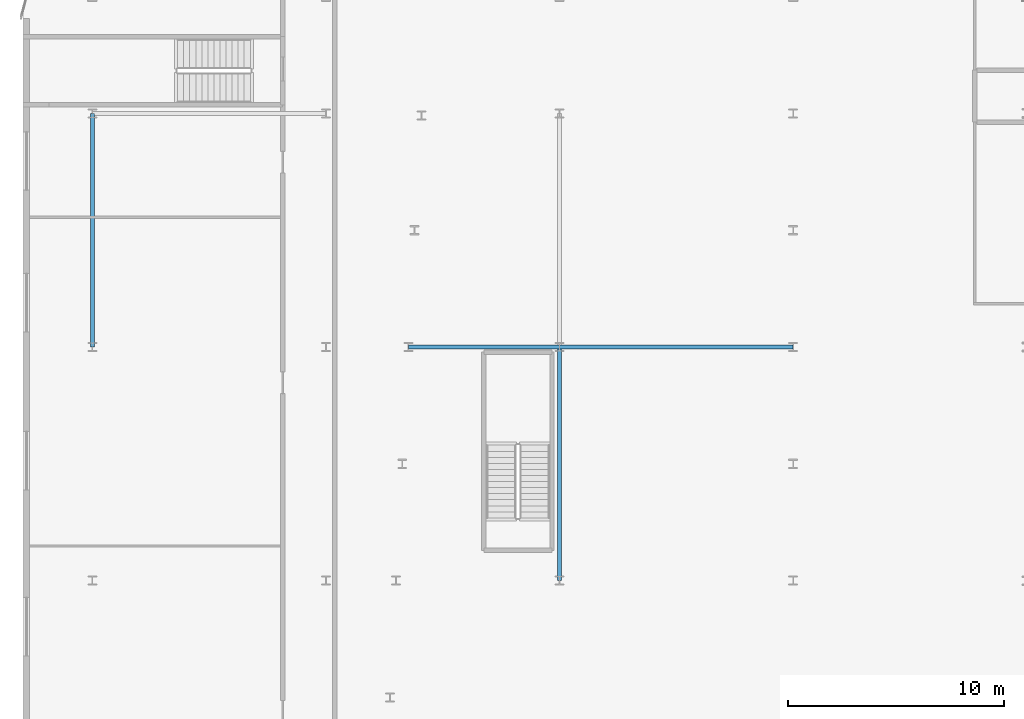
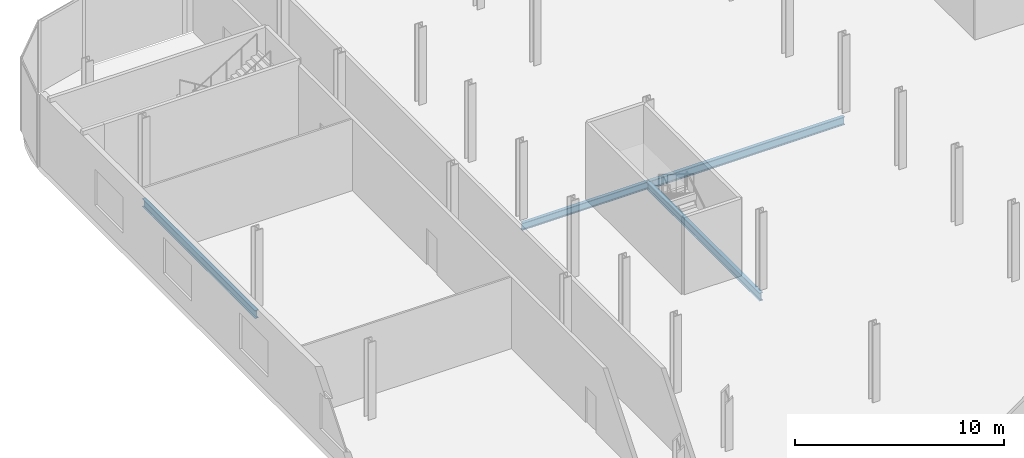
# One storey, part 15 of 47: 4 beams.
"""IFC4 building model written with IfcOpenShell, lengths in metres."""

from ifc_helpers import new_model, si_unit, direction, frame, origin, origin_2d, place, context, subcontext, project, spatial, i_section, extrude, material, material_profile, profile_set, type_object, element, save


model = new_model("IFC4")

# Units and contexts
model_context = context("Model", 3, precision=1e-05, world=origin(), true_north=direction((0.0, 1.0)))
body_context = subcontext(model_context, "Body", "Model", "MODEL_VIEW")
ifc_project = project(units=[si_unit("LENGTHUNIT", "METRE"), si_unit("AREAUNIT", "SQUARE_METRE"), si_unit("VOLUMEUNIT", "CUBIC_METRE"), si_unit("PLANEANGLEUNIT", "RADIAN"), si_unit("MASSUNIT", "GRAM", prefix="KILO")], contexts=[model_context])

# Site, building, storey
site_placement = place(None, origin())
site = spatial("IfcSite", under=ifc_project, at=site_placement, CompositionType="ELEMENT")
building_placement = place(site_placement, origin())
building = spatial("IfcBuilding", under=site, at=building_placement, Name="Kheshtan School and Residences Tower", CompositionType="ELEMENT")
storey_placement = place(building_placement, frame((0.0, 0.0, 17.0)))
storey = spatial("IfcBuildingStorey", under=building, at=storey_placement, Name="L03", CompositionType="ELEMENT", Elevation=17.0)

# Beams
ifc_material = material(Name="Steel ASTM A992 Grade 50", Category="steel")
ifc_material_profile_1 = material_profile(ifc_material, i_section(OverallWidth=0.180908203125, OverallDepth=0.4169921875, WebThickness=0.010986328125, FlangeThickness=0.018310546875, FilletRadius=0.012451171875, at=origin_2d()), Name="W410x85")
ifc_profile_set_1 = profile_set([ifc_material_profile_1], Name="Steel ASTM A992 Grade 50")
beam_type_1 = type_object("IfcBeamType", Name="Beam PB1 W410x85 ASTM A992 Grade 50", PredefinedType="BEAM", material=ifc_profile_set_1)
beam_placement = place(storey_placement, frame((29.81005859375, 88.800048828125, -0.528564453125), z_axis=(1.0, 0.0, 0.0), x_axis=(0.0, 1.0, 0.0)))
element("IfcBeam", 1, at=beam_placement, inside=storey, type_object=beam_type_1, Name="Podium floor beam PB1", PredefinedType="BEAM", context=body_context, shape_type="SweptSolid", body=[
    extrude(i_section(OverallWidth=0.180908203125, OverallDepth=0.4169921875, WebThickness=0.010986328125, FlangeThickness=0.018310546875, FilletRadius=0.012451171875, at=origin_2d()), origin(), (0.0, 0.0, 1.0), 6.989990234375),
])
ifc_material_profile_2 = material_profile(ifc_material, i_section(OverallWidth=0.194091796875, OverallDepth=0.468994140625, WebThickness=0.0126953125, FlangeThickness=0.0205078125, FilletRadius=0.01416015625, at=origin_2d()), Name="W460x106")
ifc_profile_set_2 = profile_set([ifc_material_profile_2], Name="Steel ASTM A992 Grade 50")
beam_type_2 = type_object("IfcBeamType", Name="Beam PB2 W460x106 ASTM A992 Grade 50", PredefinedType="BEAM", material=ifc_profile_set_2)
for number, where, z_axis, x_axis, name in (
    (2, (15.199951171875, 88.800048828125, -0.554443359375), (0.0, 1.0, 0.0), (-1.0, 0.0, 0.0), "Podium floor beam PB2"),
    (3, (36.800048828125, 78.0, -0.554443359375), (0.0, 1.0, 0.0), (-1.0, 0.0, 0.0), "Podium floor beam PB2"),
    (4, (36.800048828125, 88.800048828125, -0.554443359375), (1.0, 0.0, 0.0), (0.0, 1.0, 0.0), "Podium floor beam PB2"),
):
    element("IfcBeam", number, at=place(storey_placement, frame(where, z_axis=z_axis, x_axis=x_axis)), inside=storey, type_object=beam_type_2, Name=name, PredefinedType="BEAM", context=body_context, shape_type="SweptSolid", body=[
        extrude(i_section(OverallWidth=0.194091796875, OverallDepth=0.468994140625, WebThickness=0.0126953125, FlangeThickness=0.0205078125, FilletRadius=0.01416015625, at=origin_2d()), origin(), (0.0, 0.0, 1.0), 10.800048828125),
    ])

save(model, "model.ifc")
